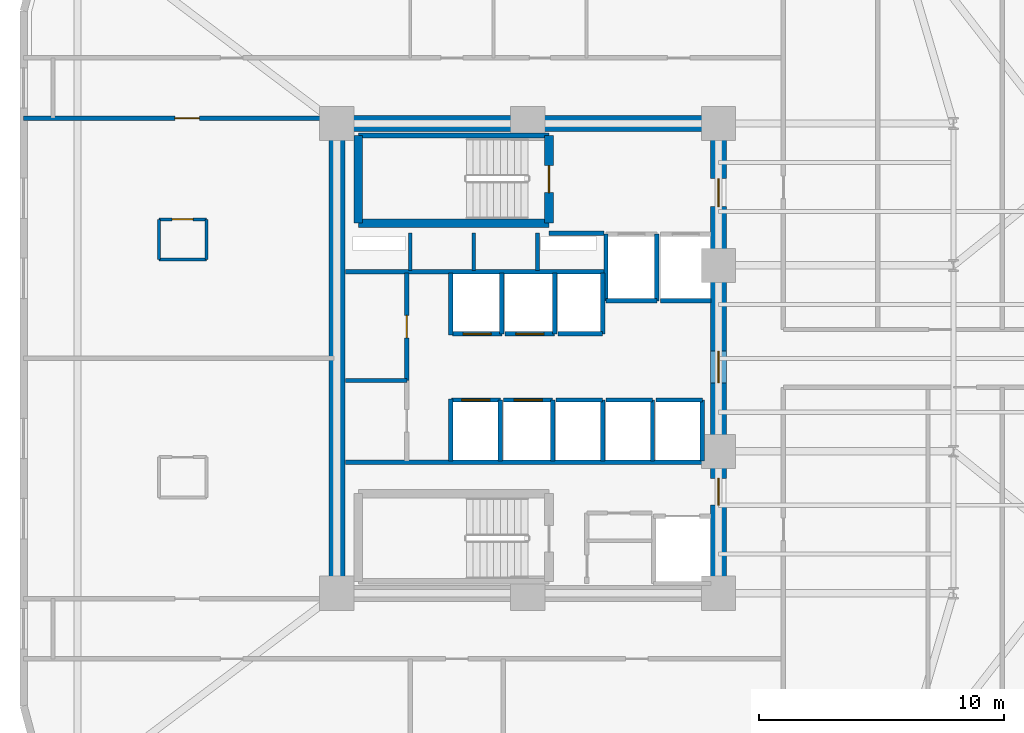
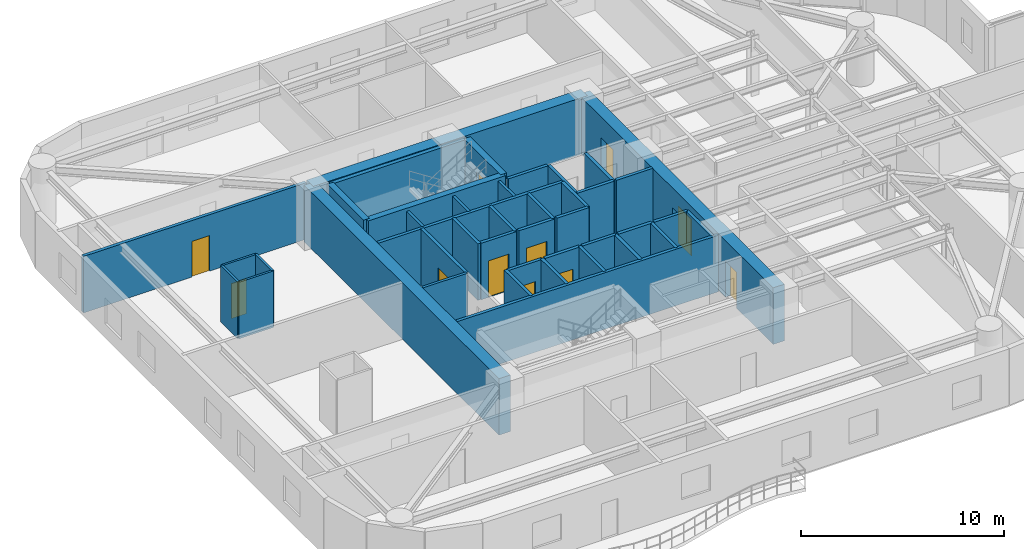
# One storey, part 9 of 14: 42 walls, 11 doors, 11 openings.
"""IFC4 building model written with IfcOpenShell, lengths in metres."""

from ifc_helpers import new_model, si_unit, direction, frame, frame_2d, origin, place, context, subcontext, project, spatial, rectangle, extrude, material, layer, layer_set, type_object, element, fill, save


model = new_model("IFC4")

# Units and contexts
model_context = context("Model", 3, precision=1e-05, world=origin(), true_north=direction((0.0, 1.0)))
body_context = subcontext(model_context, "Body", "Model", "MODEL_VIEW")
ifc_project = project(units=[si_unit("LENGTHUNIT", "METRE"), si_unit("AREAUNIT", "SQUARE_METRE"), si_unit("VOLUMEUNIT", "CUBIC_METRE"), si_unit("PLANEANGLEUNIT", "RADIAN"), si_unit("MASSUNIT", "GRAM", prefix="KILO")], contexts=[model_context])

# Site, building, storey
site_placement = place(None, origin())
site = spatial("IfcSite", under=ifc_project, at=site_placement, CompositionType="ELEMENT")
building_placement = place(site_placement, origin())
building = spatial("IfcBuilding", under=site, at=building_placement, Name="An Khanh Terracotta Commons", CompositionType="ELEMENT")
storey_placement = place(building_placement, frame((0.0, 0.0, 115.10009765625)))
storey = spatial("IfcBuildingStorey", under=building, at=storey_placement, Name="L30", CompositionType="ELEMENT", Elevation=115.10009765625)

# Walls
ifc_material_1 = material(Name="Concrete C60/75", Category="concrete")
ifc_layer_1 = layer(ifc_material_1, 0.64990234375, Name="Concrete C60/75")
ifc_layer_set_1 = layer_set([ifc_layer_1], Name="Concrete C60/75")
wall_type_1 = type_object("IfcWallType", Name="WALL-CORE-650", PredefinedType="SHEAR", material=ifc_layer_set_1)
wall_1_placement = place(storey_placement, frame((21.60009765625, 14.39990234375, 0.0), z_axis=(0.0, 0.0, 1.0), x_axis=(0.0, 1.0, 0.0)))
element("IfcWall", 1, at=wall_1_placement, inside=storey, type_object=wall_type_1, Name="L30 Core Wall CWALL-L30-W", PredefinedType="SHEAR", context=body_context, shape_type="SweptSolid", body=[
    extrude(rectangle(XDim=19.2001953125, YDim=0.64990234375, at=frame_2d((9.60009765625, 0.0))), origin(), (0.0, 0.0, 1.0), 3.39990234375),
])
wall_2_placement = place(storey_placement, frame((21.60009765625, 33.60009765625, 0.0), z_axis=(0.0, 0.0, 1.0), x_axis=(1.0, 0.0, 0.0)))
element("IfcWall", 2, at=wall_2_placement, inside=storey, type_object=wall_type_1, Name="L30 Core Wall CWALL-L30-N", PredefinedType="SHEAR", context=body_context, shape_type="SweptSolid", body=[
    extrude(rectangle(XDim=15.599853515625, YDim=0.64990234375, at=frame_2d((7.7998046875, 0.0))), origin(), (0.0, 0.0, 1.0), 3.39990234375),
])

# Wall, openings, doors
wall_3_placement = place(storey_placement, frame((37.199951171875, 14.39990234375, 0.0), z_axis=(0.0, 0.0, 1.0), x_axis=(0.0, 1.0, 0.0)))
wall_3 = element("IfcWall", 3, at=wall_3_placement, inside=storey, type_object=wall_type_1, Name="L30 Core Wall CWALL-L30-E", PredefinedType="SHEAR", context=body_context, shape_type="SweptSolid", body=[
    extrude(rectangle(XDim=19.2001953125, YDim=0.64990234375, at=frame_2d((9.60009765625, 0.0))), origin(), (0.0, 0.0, 1.0), 3.39990234375),
])
opening_1_placement = place(wall_3_placement, frame((15.800048828125, 0.0, 0.0)))
opening_1 = element("IfcOpeningElement", 4, at=opening_1_placement, cuts=wall_3, Name="Opening D-FFL", PredefinedType="OPENING", context=body_context, shape_type="SweptSolid", body=[
    extrude(rectangle(XDim=1.14990234375, YDim=2.14990234375, at=frame_2d((0.574951171875, 1.074951171875))), frame((0.0, 0.3349609375, 0.0), z_axis=(0.0, -1.0, 0.0), x_axis=(1.0, 0.0, 0.0)), (0.0, 0.0, 1.0), 0.669921875),
])
opening_2_placement = place(wall_3_placement, frame((3.60009765625, 0.0, 0.0)))
opening_2 = element("IfcOpeningElement", 5, at=opening_2_placement, cuts=wall_3, Name="Opening D-ST", PredefinedType="OPENING", context=body_context, shape_type="SweptSolid", body=[
    extrude(rectangle(XDim=1.10009765625, YDim=2.14990234375, at=frame_2d((0.550048828125, 1.074951171875))), frame((0.0, 0.3349609375, 0.0), z_axis=(0.0, -1.0, 0.0), x_axis=(1.0, 0.0, 0.0)), (0.0, 0.0, 1.0), 0.669921875),
])
opening_3_placement = place(wall_3_placement, frame((8.60009765625, 0.0, 0.0)))
opening_3 = element("IfcOpeningElement", 6, at=opening_3_placement, cuts=wall_3, Name="Opening D-COR", PredefinedType="OPENING", context=body_context, shape_type="SweptSolid", body=[
    extrude(rectangle(XDim=1.300048828125, YDim=2.199951171875, at=frame_2d((0.64990234375, 1.10009765625))), frame((0.0, 0.3349609375, 0.0), z_axis=(0.0, -1.0, 0.0), x_axis=(1.0, 0.0, 0.0)), (0.0, 0.0, 1.0), 0.669921875),
])
ifc_material_2 = material(Name="Fire-Rated Glazed Steel Double Door", Category="steel")
door_type_1 = type_object("IfcDoorType", Name="DOOR-CORR-1300", OperationType="NOTDEFINED", PredefinedType="DOOR", material=ifc_material_2)
door_1_placement = place(opening_3_placement, origin())
door_1 = element("IfcDoor", 7, at=door_1_placement, inside=storey, type_object=door_type_1, Name="L30 Passenger Lift Lobby Double Door", OperationType="DOUBLE_DOOR_SINGLE_SWING", OverallHeight=2.199951171875, OverallWidth=1.300048828125, PredefinedType="DOOR", context=body_context, shape_type="SweptSolid", body=[
    extrude(rectangle(XDim=1.300048828125, YDim=2.199951171875, at=frame_2d((0.64990234375, 1.10009765625))), frame((0.0, 0.02490234375, 0.0), z_axis=(0.0, -1.0, 0.0), x_axis=(1.0, 0.0, 0.0)), (0.0, 0.0, 1.0), 0.050048828125),
])
fill(opening_3, door_1)
ifc_material_3 = material(Name="Fire-Rated Steel Leaf and Vision Panel", Category="steel")
door_type_2 = type_object("IfcDoorType", Name="DOOR-FFL-1150", OperationType="NOTDEFINED", PredefinedType="DOOR", material=ifc_material_3)
door_2_placement = place(opening_1_placement, origin())
door_2 = element("IfcDoor", 8, at=door_2_placement, inside=storey, type_object=door_type_2, Name="L30 Firefighting Lift Lobby Fire Door", OperationType="SINGLE_SWING_RIGHT", OverallHeight=2.14990234375, OverallWidth=1.14990234375, PredefinedType="DOOR", context=body_context, shape_type="SweptSolid", body=[
    extrude(rectangle(XDim=1.14990234375, YDim=2.14990234375, at=frame_2d((0.574951171875, 1.074951171875))), frame((0.0, 0.02490234375, 0.0), z_axis=(0.0, -1.0, 0.0), x_axis=(1.0, 0.0, 0.0)), (0.0, 0.0, 1.0), 0.050048828125),
])
fill(opening_1, door_2)
ifc_material_4 = material(Name="Fire-Rated Steel Leaf and Frame", Category="steel")
door_type_3 = type_object("IfcDoorType", Name="DOOR-STAIR-1100", OperationType="NOTDEFINED", PredefinedType="DOOR", material=ifc_material_4)
door_3_placement = place(opening_2_placement, origin())
door_3 = element("IfcDoor", 9, at=door_3_placement, inside=storey, type_object=door_type_3, Name="L30 South Stair Lobby Fire Door", OperationType="SINGLE_SWING_LEFT", OverallHeight=2.14990234375, OverallWidth=1.10009765625, PredefinedType="DOOR", context=body_context, shape_type="SweptSolid", body=[
    extrude(rectangle(XDim=1.10009765625, YDim=2.14990234375, at=frame_2d((0.550048828125, 1.074951171875))), frame((0.0, 0.02490234375, 0.0), z_axis=(0.0, -1.0, 0.0), x_axis=(1.0, 0.0, 0.0)), (0.0, 0.0, 1.0), 0.050048828125),
])
fill(opening_2, door_3)

# Walls
ifc_material_5 = material(Name="Fire-Rated Gypsum Board on Steel Stud", Category="steel")
ifc_layer_2 = layer(ifc_material_5, 0.179931640625, Name="Fire-Rated Gypsum Board on Steel Stud")
ifc_layer_set_2 = layer_set([ifc_layer_2], Name="Fire-Rated Gypsum Board on Steel Stud")
wall_type_2 = type_object("IfcWallType", Name="WALL-CORR-180", PredefinedType="PARTITIONING", material=ifc_layer_set_2)
wall_4_placement = place(storey_placement, frame((30.27001953125, 29.1201171875, 0.0), z_axis=(0.0, 0.0, 1.0), x_axis=(1.0, 0.0, 0.0)))
element("IfcWall", 10, at=wall_4_placement, inside=storey, type_object=wall_type_2, Name="L30 Core Wall FFLW-L30-S", PredefinedType="PARTITIONING", context=body_context, shape_type="SweptSolid", body=[
    extrude(rectangle(XDim=2.239990234375, YDim=0.179931640625, at=frame_2d((1.1201171875, 0.0))), origin(), (0.0, 0.0, 1.0), 3.39990234375),
])
wall_5_placement = place(storey_placement, frame((21.949951171875, 27.5400390625, 0.0), z_axis=(0.0, 0.0, 1.0), x_axis=(1.0, 0.0, 0.0)))
element("IfcWall", 11, at=wall_5_placement, inside=storey, type_object=wall_type_2, Name="L30 Core Wall RSRW-L30-S", PredefinedType="PARTITIONING", context=body_context, shape_type="SweptSolid", body=[
    extrude(rectangle(XDim=10.56005859375, YDim=0.179931640625, at=frame_2d((5.280029296875, 0.0))), origin(), (0.0, 0.0, 1.0), 3.39990234375),
])
wall_6_placement = place(storey_placement, frame((21.949951171875, 19.760009765625, 0.0), z_axis=(0.0, 0.0, 1.0), x_axis=(1.0, 0.0, 0.0)))
element("IfcWall", 12, at=wall_6_placement, inside=storey, type_object=wall_type_2, Name="L30 Core Wall SVW-L30-N", PredefinedType="PARTITIONING", context=body_context, shape_type="SweptSolid", body=[
    extrude(rectangle(XDim=14.8701171875, YDim=0.179931640625, at=frame_2d((7.43505859375, 0.0))), origin(), (0.0, 0.0, 1.0), 3.39990234375),
])
wall_7_placement = place(storey_placement, frame((34.679931640625, 26.35009765625, 0.0), z_axis=(0.0, 0.0, 1.0), x_axis=(-1.0, 0.0, 0.0)))
element("IfcWall", 13, at=wall_7_placement, inside=storey, type_object=wall_type_2, Name="L30 Core Wall LSH-L30-FFL-01-S", PredefinedType="PARTITIONING", context=body_context, shape_type="SweptSolid", body=[
    extrude(rectangle(XDim=2.079833984375, YDim=0.179931640625, at=frame_2d((1.0400390625, 0.0))), origin(), (0.0, 0.0, 1.0), 3.39990234375),
])
for number, where, z_axis, x_axis, name in (
    (14, (34.679931640625, 26.35009765625, 0.0), (0.0, 0.0, 1.0), (0.0, 1.0, 0.0), "L30 Core Wall LSH-L30-FFL-01-E"),
    (15, (32.60009765625, 29.080078125, 0.0), (0.0, 0.0, 1.0), (0.0, -1.0, 0.0), "L30 Core Wall LSH-L30-FFL-01-W"),
):
    element("IfcWall", number, at=place(storey_placement, frame(where, z_axis=z_axis, x_axis=x_axis)), inside=storey, type_object=wall_type_2, Name=name, PredefinedType="PARTITIONING", context=body_context, shape_type="SweptSolid", body=[
        extrude(rectangle(XDim=2.72998046875, YDim=0.179931640625, at=frame_2d((1.364990234375, 0.0))), origin(), (0.0, 0.0, 1.0), 3.39990234375),
    ])
wall_8_placement = place(storey_placement, frame((36.89990234375, 26.35009765625, 0.0), z_axis=(0.0, 0.0, 1.0), x_axis=(-1.0, 0.0, 0.0)))
element("IfcWall", 16, at=wall_8_placement, inside=storey, type_object=wall_type_2, Name="L30 Core Wall LSH-L30-FFL-02-S", PredefinedType="PARTITIONING", context=body_context, shape_type="SweptSolid", body=[
    extrude(rectangle(XDim=2.079833984375, YDim=0.179931640625, at=frame_2d((1.0400390625, 0.0))), origin(), (0.0, 0.0, 1.0), 3.39990234375),
])

# Wall, opening, door
wall_9_placement = place(storey_placement, frame((28.340087890625, 25.0, 0.0), z_axis=(0.0, 0.0, 1.0), x_axis=(-1.0, 0.0, 0.0)))
wall_9 = element("IfcWall", 17, at=wall_9_placement, inside=storey, type_object=wall_type_2, Name="L30 Core Wall LSH-L30-PL-M1-S", PredefinedType="PARTITIONING", context=body_context, shape_type="SweptSolid", body=[
    extrude(rectangle(XDim=2.02001953125, YDim=0.179931640625, at=frame_2d((1.010009765625, 0.0))), origin(), (0.0, 0.0, 1.0), 3.39990234375),
])
opening_4_placement = place(wall_9_placement, frame((0.43505859375, 0.0, 0.0)))
opening_4 = element("IfcOpeningElement", 18, at=opening_4_placement, cuts=wall_9, Name="Opening LD-PL-M1-L30", PredefinedType="OPENING", context=body_context, shape_type="SweptSolid", body=[
    extrude(rectangle(XDim=1.14990234375, YDim=2.199951171875, at=frame_2d((0.574951171875, 1.10009765625))), frame((0.0, 0.099853515625, 0.0), z_axis=(0.0, -1.0, 0.0), x_axis=(1.0, 0.0, 0.0)), (0.0, 0.0, 1.0), 0.199951171875),
])
ifc_material_6 = material(Name="Brushed Stainless Steel Passenger Landing Door", Category="steel")
door_type_4 = type_object("IfcDoorType", Name="DOOR-LD-PAX-1150", OperationType="NOTDEFINED", PredefinedType="DOOR", material=ifc_material_6)
door_4_placement = place(opening_4_placement, origin())
door_4 = element("IfcDoor", 19, at=door_4_placement, inside=storey, type_object=door_type_4, Name="L30 Lift PL-M1 Sliding Landing Door", OperationType="DOUBLE_DOOR_SLIDING", OverallHeight=2.199951171875, OverallWidth=1.14990234375, PredefinedType="DOOR", context=body_context, shape_type="SweptSolid", body=[
    extrude(rectangle(XDim=1.14990234375, YDim=2.199951171875, at=frame_2d((0.574951171875, 1.10009765625))), frame((0.0, 0.02490234375, 0.0), z_axis=(0.0, -1.0, 0.0), x_axis=(1.0, 0.0, 0.0)), (0.0, 0.0, 1.0), 0.050048828125),
])
fill(opening_4, door_4)

# Wall
wall_10_placement = place(storey_placement, frame((28.340087890625, 25.0, 0.0), z_axis=(0.0, 0.0, 1.0), x_axis=(0.0, 1.0, 0.0)))
element("IfcWall", 20, at=wall_10_placement, inside=storey, type_object=wall_type_2, Name="L30 Core Wall LSH-L30-PL-M1-E", PredefinedType="PARTITIONING", context=body_context, shape_type="SweptSolid", body=[
    extrude(rectangle(XDim=2.5, YDim=0.179931640625, at=frame_2d((1.25, 0.0))), origin(), (0.0, 0.0, 1.0), 3.39990234375),
])

# Wall, opening, door
wall_11_placement = place(storey_placement, frame((30.5, 25.0, 0.0), z_axis=(0.0, 0.0, 1.0), x_axis=(-1.0, 0.0, 0.0)))
wall_11 = element("IfcWall", 21, at=wall_11_placement, inside=storey, type_object=wall_type_2, Name="L30 Core Wall LSH-L30-PL-M2-S", PredefinedType="PARTITIONING", context=body_context, shape_type="SweptSolid", body=[
    extrude(rectangle(XDim=2.02001953125, YDim=0.179931640625, at=frame_2d((1.010009765625, 0.0))), origin(), (0.0, 0.0, 1.0), 3.39990234375),
])
opening_5_placement = place(wall_11_placement, frame((0.43505859375, 0.0, 0.0)))
opening_5 = element("IfcOpeningElement", 22, at=opening_5_placement, cuts=wall_11, Name="Opening LD-PL-M2-L30", PredefinedType="OPENING", context=body_context, shape_type="SweptSolid", body=[
    extrude(rectangle(XDim=1.14990234375, YDim=2.199951171875, at=frame_2d((0.574951171875, 1.10009765625))), frame((0.0, 0.099853515625, 0.0), z_axis=(0.0, -1.0, 0.0), x_axis=(1.0, 0.0, 0.0)), (0.0, 0.0, 1.0), 0.199951171875),
])
door_5_placement = place(opening_5_placement, origin())
door_5 = element("IfcDoor", 23, at=door_5_placement, inside=storey, type_object=door_type_4, Name="L30 Lift PL-M2 Sliding Landing Door", OperationType="DOUBLE_DOOR_SLIDING", OverallHeight=2.199951171875, OverallWidth=1.14990234375, PredefinedType="DOOR", context=body_context, shape_type="SweptSolid", body=[
    extrude(rectangle(XDim=1.14990234375, YDim=2.199951171875, at=frame_2d((0.574951171875, 1.10009765625))), frame((0.0, 0.02490234375, 0.0), z_axis=(0.0, -1.0, 0.0), x_axis=(1.0, 0.0, 0.0)), (0.0, 0.0, 1.0), 0.050048828125),
])
fill(opening_5, door_5)

# Wall
wall_12_placement = place(storey_placement, frame((30.5, 25.0, 0.0), z_axis=(0.0, 0.0, 1.0), x_axis=(0.0, 1.0, 0.0)))
element("IfcWall", 24, at=wall_12_placement, inside=storey, type_object=wall_type_2, Name="L30 Core Wall LSH-L30-PL-M2-E", PredefinedType="PARTITIONING", context=body_context, shape_type="SweptSolid", body=[
    extrude(rectangle(XDim=2.5, YDim=0.179931640625, at=frame_2d((1.25, 0.0))), origin(), (0.0, 0.0, 1.0), 3.39990234375),
])

# Wall, opening, door
wall_13_placement = place(storey_placement, frame((26.280029296875, 22.300048828125, 0.0), z_axis=(0.0, 0.0, 1.0), x_axis=(1.0, 0.0, 0.0)))
wall_13 = element("IfcWall", 25, at=wall_13_placement, inside=storey, type_object=wall_type_2, Name="L30 Core Wall LSH-L30-PL-M3-N", PredefinedType="PARTITIONING", context=body_context, shape_type="SweptSolid", body=[
    extrude(rectangle(XDim=2.0, YDim=0.179931640625, at=frame_2d((1.0, 0.0))), origin(), (0.0, 0.0, 1.0), 3.39990234375),
])
opening_6_placement = place(wall_13_placement, frame((0.425048828125, 0.0, 0.0)))
opening_6 = element("IfcOpeningElement", 26, at=opening_6_placement, cuts=wall_13, Name="Opening LD-PL-M3-L30", PredefinedType="OPENING", context=body_context, shape_type="SweptSolid", body=[
    extrude(rectangle(XDim=1.14990234375, YDim=2.199951171875, at=frame_2d((0.574951171875, 1.10009765625))), frame((0.0, 0.099853515625, 0.0), z_axis=(0.0, -1.0, 0.0), x_axis=(1.0, 0.0, 0.0)), (0.0, 0.0, 1.0), 0.199951171875),
])
door_6_placement = place(opening_6_placement, origin())
door_6 = element("IfcDoor", 27, at=door_6_placement, inside=storey, type_object=door_type_4, Name="L30 Lift PL-M3 Sliding Landing Door", OperationType="DOUBLE_DOOR_SLIDING", OverallHeight=2.199951171875, OverallWidth=1.14990234375, PredefinedType="DOOR", context=body_context, shape_type="SweptSolid", body=[
    extrude(rectangle(XDim=1.14990234375, YDim=2.199951171875, at=frame_2d((0.574951171875, 1.10009765625))), frame((0.0, 0.02490234375, 0.0), z_axis=(0.0, -1.0, 0.0), x_axis=(1.0, 0.0, 0.0)), (0.0, 0.0, 1.0), 0.050048828125),
])
fill(opening_6, door_6)

# Wall
wall_14_placement = place(storey_placement, frame((28.280029296875, 19.800048828125, 0.0), z_axis=(0.0, 0.0, 1.0), x_axis=(0.0, 1.0, 0.0)))
element("IfcWall", 28, at=wall_14_placement, inside=storey, type_object=wall_type_2, Name="L30 Core Wall LSH-L30-PL-M3-E", PredefinedType="PARTITIONING", context=body_context, shape_type="SweptSolid", body=[
    extrude(rectangle(XDim=2.5, YDim=0.179931640625, at=frame_2d((1.25, 0.0))), origin(), (0.0, 0.0, 1.0), 3.39990234375),
])

# Wall, opening, door
wall_15_placement = place(storey_placement, frame((28.419921875, 22.300048828125, 0.0), z_axis=(0.0, 0.0, 1.0), x_axis=(1.0, 0.0, 0.0)))
wall_15 = element("IfcWall", 29, at=wall_15_placement, inside=storey, type_object=wall_type_2, Name="L30 Core Wall LSH-L30-PL-M4-N", PredefinedType="PARTITIONING", context=body_context, shape_type="SweptSolid", body=[
    extrude(rectangle(XDim=2.0, YDim=0.179931640625, at=frame_2d((1.0, 0.0))), origin(), (0.0, 0.0, 1.0), 3.39990234375),
])
opening_7_placement = place(wall_15_placement, frame((0.425048828125, 0.0, 0.0)))
opening_7 = element("IfcOpeningElement", 30, at=opening_7_placement, cuts=wall_15, Name="Opening LD-PL-M4-L30", PredefinedType="OPENING", context=body_context, shape_type="SweptSolid", body=[
    extrude(rectangle(XDim=1.14990234375, YDim=2.199951171875, at=frame_2d((0.574951171875, 1.10009765625))), frame((0.0, 0.099853515625, 0.0), z_axis=(0.0, -1.0, 0.0), x_axis=(1.0, 0.0, 0.0)), (0.0, 0.0, 1.0), 0.199951171875),
])
door_7_placement = place(opening_7_placement, origin())
door_7 = element("IfcDoor", 31, at=door_7_placement, inside=storey, type_object=door_type_4, Name="L30 Lift PL-M4 Sliding Landing Door", OperationType="DOUBLE_DOOR_SLIDING", OverallHeight=2.199951171875, OverallWidth=1.14990234375, PredefinedType="DOOR", context=body_context, shape_type="SweptSolid", body=[
    extrude(rectangle(XDim=1.14990234375, YDim=2.199951171875, at=frame_2d((0.574951171875, 1.10009765625))), frame((0.0, 0.02490234375, 0.0), z_axis=(0.0, -1.0, 0.0), x_axis=(1.0, 0.0, 0.0)), (0.0, 0.0, 1.0), 0.050048828125),
])
fill(opening_7, door_7)

# Walls
wall_16_placement = place(storey_placement, frame((30.419921875, 19.800048828125, 0.0), z_axis=(0.0, 0.0, 1.0), x_axis=(0.0, 1.0, 0.0)))
element("IfcWall", 32, at=wall_16_placement, inside=storey, type_object=wall_type_2, Name="L30 Core Wall LSH-L30-PL-M4-E", PredefinedType="PARTITIONING", context=body_context, shape_type="SweptSolid", body=[
    extrude(rectangle(XDim=2.5, YDim=0.179931640625, at=frame_2d((1.25, 0.0))), origin(), (0.0, 0.0, 1.0), 3.39990234375),
])
wall_17_placement = place(storey_placement, frame((32.4599609375, 25.0, 0.0), z_axis=(0.0, 0.0, 1.0), x_axis=(-1.0, 0.0, 0.0)))
element("IfcWall", 33, at=wall_17_placement, inside=storey, type_object=wall_type_2, Name="L30 Core Wall LSH-L30-PL-H1-S", PredefinedType="PARTITIONING", context=body_context, shape_type="SweptSolid", body=[
    extrude(rectangle(XDim=1.820068359375, YDim=0.179931640625, at=frame_2d((0.91015625, 0.0))), origin(), (0.0, 0.0, 1.0), 3.39990234375),
])
wall_18_placement = place(storey_placement, frame((32.4599609375, 25.0, 0.0), z_axis=(0.0, 0.0, 1.0), x_axis=(0.0, 1.0, 0.0)))
element("IfcWall", 34, at=wall_18_placement, inside=storey, type_object=wall_type_2, Name="L30 Core Wall LSH-L30-PL-H1-E", PredefinedType="PARTITIONING", context=body_context, shape_type="SweptSolid", body=[
    extrude(rectangle(XDim=2.5, YDim=0.179931640625, at=frame_2d((1.25, 0.0))), origin(), (0.0, 0.0, 1.0), 3.39990234375),
])
wall_19_placement = place(storey_placement, frame((30.56005859375, 22.300048828125, 0.0), z_axis=(0.0, 0.0, 1.0), x_axis=(1.0, 0.0, 0.0)))
element("IfcWall", 35, at=wall_19_placement, inside=storey, type_object=wall_type_2, Name="L30 Core Wall LSH-L30-PL-H2-N", PredefinedType="PARTITIONING", context=body_context, shape_type="SweptSolid", body=[
    extrude(rectangle(XDim=1.89990234375, YDim=0.179931640625, at=frame_2d((0.949951171875, 0.0))), origin(), (0.0, 0.0, 1.0), 3.39990234375),
])
wall_20_placement = place(storey_placement, frame((32.4599609375, 19.800048828125, 0.0), z_axis=(0.0, 0.0, 1.0), x_axis=(0.0, 1.0, 0.0)))
element("IfcWall", 36, at=wall_20_placement, inside=storey, type_object=wall_type_2, Name="L30 Core Wall LSH-L30-PL-H2-E", PredefinedType="PARTITIONING", context=body_context, shape_type="SweptSolid", body=[
    extrude(rectangle(XDim=2.5, YDim=0.179931640625, at=frame_2d((1.25, 0.0))), origin(), (0.0, 0.0, 1.0), 3.39990234375),
])
wall_21_placement = place(storey_placement, frame((32.60009765625, 22.300048828125, 0.0), z_axis=(0.0, 0.0, 1.0), x_axis=(1.0, 0.0, 0.0)))
element("IfcWall", 37, at=wall_21_placement, inside=storey, type_object=wall_type_2, Name="L30 Core Wall LSH-L30-PL-H3-N", PredefinedType="PARTITIONING", context=body_context, shape_type="SweptSolid", body=[
    extrude(rectangle(XDim=1.89990234375, YDim=0.179931640625, at=frame_2d((0.949951171875, 0.0))), origin(), (0.0, 0.0, 1.0), 3.39990234375),
])
wall_22_placement = place(storey_placement, frame((34.5, 19.800048828125, 0.0), z_axis=(0.0, 0.0, 1.0), x_axis=(0.0, 1.0, 0.0)))
element("IfcWall", 38, at=wall_22_placement, inside=storey, type_object=wall_type_2, Name="L30 Core Wall LSH-L30-PL-H3-E", PredefinedType="PARTITIONING", context=body_context, shape_type="SweptSolid", body=[
    extrude(rectangle(XDim=2.5, YDim=0.179931640625, at=frame_2d((1.25, 0.0))), origin(), (0.0, 0.0, 1.0), 3.39990234375),
])
wall_23_placement = place(storey_placement, frame((34.639892578125, 22.300048828125, 0.0), z_axis=(0.0, 0.0, 1.0), x_axis=(1.0, 0.0, 0.0)))
element("IfcWall", 39, at=wall_23_placement, inside=storey, type_object=wall_type_2, Name="L30 Core Wall LSH-L30-PL-H4-N", PredefinedType="PARTITIONING", context=body_context, shape_type="SweptSolid", body=[
    extrude(rectangle(XDim=1.900146484375, YDim=0.179931640625, at=frame_2d((0.9501953125, 0.0))), origin(), (0.0, 0.0, 1.0), 3.39990234375),
])
wall_24_placement = place(storey_placement, frame((36.5400390625, 19.800048828125, 0.0), z_axis=(0.0, 0.0, 1.0), x_axis=(0.0, 1.0, 0.0)))
element("IfcWall", 40, at=wall_24_placement, inside=storey, type_object=wall_type_2, Name="L30 Core Wall LSH-L30-PL-H4-E", PredefinedType="PARTITIONING", context=body_context, shape_type="SweptSolid", body=[
    extrude(rectangle(XDim=2.5, YDim=0.179931640625, at=frame_2d((1.25, 0.0))), origin(), (0.0, 0.0, 1.0), 3.39990234375),
])

# Wall, opening, door
wall_25_placement = place(storey_placement, frame((24.4599609375, 23.10009765625, 0.0), z_axis=(0.0, 0.0, 1.0), x_axis=(0.0, 1.0, 0.0)))
wall_25 = element("IfcWall", 41, at=wall_25_placement, inside=storey, type_object=wall_type_2, Name="L30 Core Wall RECW-L30-E1", PredefinedType="PARTITIONING", context=body_context, shape_type="SweptSolid", body=[
    extrude(rectangle(XDim=4.39990234375, YDim=0.179931640625, at=frame_2d((2.199951171875, 0.0))), origin(), (0.0, 0.0, 1.0), 3.39990234375),
])
opening_8_placement = place(wall_25_placement, frame((1.739990234375, 0.0, 0.0)))
opening_8 = element("IfcOpeningElement", 42, at=opening_8_placement, cuts=wall_25, Name="Opening D-RM", PredefinedType="OPENING", context=body_context, shape_type="SweptSolid", body=[
    extrude(rectangle(XDim=0.919921875, YDim=2.10009765625, at=frame_2d((0.4599609375, 1.050048828125))), frame((0.0, 0.099853515625, 0.0), z_axis=(0.0, -1.0, 0.0), x_axis=(1.0, 0.0, 0.0)), (0.0, 0.0, 1.0), 0.199951171875),
])
ifc_material_7 = material(Name="Engineered Hardwood Timber Leaf", Category="wood")
door_type_5 = type_object("IfcDoorType", Name="DOOR-INT-920", OperationType="NOTDEFINED", PredefinedType="DOOR", material=ifc_material_7)
door_8_placement = place(opening_8_placement, origin())
door_8 = element("IfcDoor", 43, at=door_8_placement, inside=storey, type_object=door_type_5, Name="L30 Housekeeping Linen Room Door", OperationType="SINGLE_SWING_RIGHT", OverallHeight=2.10009765625, OverallWidth=0.919921875, PredefinedType="DOOR", context=body_context, shape_type="SweptSolid", body=[
    extrude(rectangle(XDim=0.919921875, YDim=2.10009765625, at=frame_2d((0.4599609375, 1.050048828125))), frame((0.0, 0.02490234375, 0.0), z_axis=(0.0, -1.0, 0.0), x_axis=(1.0, 0.0, 0.0)), (0.0, 0.0, 1.0), 0.050048828125),
])
fill(opening_8, door_8)

# Walls
for number, where, z_axis, x_axis, name in (
    (44, (26.25, 24.949951171875, 0.0), (0.0, 0.0, 1.0), (0.0, 1.0, 0.0), "L30 Core Wall RECW-L30-BE1"),
    (45, (26.25, 19.800048828125, 0.0), (0.0, 0.0, 1.0), (0.0, 1.0, 0.0), "L30 Core Wall RECW-L30-BE2"),
):
    element("IfcWall", number, at=place(storey_placement, frame(where, z_axis=z_axis, x_axis=x_axis)), inside=storey, type_object=wall_type_2, Name=name, PredefinedType="PARTITIONING", context=body_context, shape_type="SweptSolid", body=[
        extrude(rectangle(XDim=2.550048828125, YDim=0.179931640625, at=frame_2d((1.27490234375, 0.0))), origin(), (0.0, 0.0, 1.0), 3.39990234375),
    ])

# Wall, opening, door
wall_26_placement = place(storey_placement, frame((8.800048828125, 33.820068359375, 0.0), z_axis=(0.0, 0.0, 1.0), x_axis=(1.0, 0.0, 0.0)))
wall_26 = element("IfcWall", 46, at=wall_26_placement, inside=storey, type_object=wall_type_2, Name="L30 Interior Partition IW-L30-E007", PredefinedType="PARTITIONING", context=body_context, shape_type="SweptSolid", body=[
    extrude(rectangle(XDim=12.679931640625, YDim=0.179931640625, at=frame_2d((6.33984375, 0.0))), origin(), (0.0, 0.0, 1.0), 3.39990234375),
])
opening_9_placement = place(wall_26_placement, frame((6.179931640625, 0.0, 0.0)))
opening_9 = element("IfcOpeningElement", 47, at=opening_9_placement, cuts=wall_26, Name="Opening D-UN", PredefinedType="OPENING", context=body_context, shape_type="SweptSolid", body=[
    extrude(rectangle(XDim=1.0, YDim=2.14990234375, at=frame_2d((0.5, 1.074951171875))), frame((0.0, 0.099853515625, 0.0), z_axis=(0.0, -1.0, 0.0), x_axis=(1.0, 0.0, 0.0)), (0.0, 0.0, 1.0), 0.199951171875),
])
ifc_material_8 = material(Name="Solid-Core Hardwood Acoustic Fire Door", Category="wood")
door_type_6 = type_object("IfcDoorType", Name="DOOR-UNIT-1000", OperationType="NOTDEFINED", PredefinedType="DOOR", material=ifc_material_8)
door_9_placement = place(opening_9_placement, origin())
door_9 = element("IfcDoor", 48, at=door_9_placement, inside=storey, type_object=door_type_6, Name="L30 WW2 Kitchenette and Studio Apartment Door", OperationType="SINGLE_SWING_LEFT", OverallHeight=2.14990234375, OverallWidth=1.0, PredefinedType="DOOR", context=body_context, shape_type="SweptSolid", body=[
    extrude(rectangle(XDim=1.0, YDim=2.14990234375, at=frame_2d((0.5, 1.074951171875))), frame((0.0, 0.02490234375, 0.0), z_axis=(0.0, -1.0, 0.0), x_axis=(1.0, 0.0, 0.0)), (0.0, 0.0, 1.0), 0.050048828125),
])
fill(opening_9, door_9)

# Walls
ifc_material_9 = material(Name="Acoustic Gypsum Board Partition")
ifc_layer_3 = layer(ifc_material_9, 0.14990234375, Name="Acoustic Gypsum Board Partition")
ifc_layer_set_3 = layer_set([ifc_layer_3], Name="Acoustic Gypsum Board Partition")
wall_type_3 = type_object("IfcWallType", Name="WALL-PART-150", PredefinedType="PARTITIONING", material=ifc_layer_set_3)
for number, where, z_axis, x_axis, name in (
    (49, (24.60009765625, 27.60009765625, 0.0), (0.0, 0.0, 1.0), (0.0, 1.0, 0.0), "L30 Core Wall RSRW-L30-D1"),
    (50, (27.199951171875, 27.60009765625, 0.0), (0.0, 0.0, 1.0), (0.0, 1.0, 0.0), "L30 Core Wall RSRW-L30-D2"),
    (51, (29.800048828125, 27.60009765625, 0.0), (0.0, 0.0, 1.0), (0.0, 1.0, 0.0), "L30 Core Wall RSRW-L30-D3"),
):
    element("IfcWall", number, at=place(storey_placement, frame(where, z_axis=z_axis, x_axis=x_axis)), inside=storey, type_object=wall_type_3, Name=name, PredefinedType="PARTITIONING", context=body_context, shape_type="SweptSolid", body=[
        extrude(rectangle(XDim=1.52001953125, YDim=0.14990234375, at=frame_2d((0.760009765625, 0.0))), origin(), (0.0, 0.0, 1.0), 3.39990234375),
    ])
wall_27_placement = place(storey_placement, frame((21.949951171875, 23.10009765625, 0.0), z_axis=(0.0, 0.0, 1.0), x_axis=(1.0, 0.0, 0.0)))
element("IfcWall", 52, at=wall_27_placement, inside=storey, type_object=wall_type_3, Name="L30 Core Wall RECW-L30-M", PredefinedType="PARTITIONING", context=body_context, shape_type="SweptSolid", body=[
    extrude(rectangle(XDim=2.510009765625, YDim=0.14990234375, at=frame_2d((1.2548828125, 0.0))), origin(), (0.0, 0.0, 1.0), 3.39990234375),
])
ifc_material_10 = material(Name="Acoustic Double-Stud Gypsum and Mineral Wool")
ifc_layer_4 = layer(ifc_material_10, 0.219970703125, Name="Acoustic Double-Stud Gypsum and Mineral Wool")
ifc_layer_set_4 = layer_set([ifc_layer_4], Name="Acoustic Double-Stud Gypsum and Mineral Wool")
wall_type_4 = type_object("IfcWallType", Name="WALL-PARTY-220", PredefinedType="PARTITIONING", material=ifc_layer_set_4)
wall_28_placement = place(storey_placement, frame((22.47998046875, 33.110107421875, 0.0), z_axis=(0.0, 0.0, 1.0), x_axis=(1.0, 0.0, 0.0)))
element("IfcWall", 53, at=wall_28_placement, inside=storey, type_object=wall_type_4, Name="L30 Core Wall STW-L30-N-N", PredefinedType="PARTITIONING", context=body_context, shape_type="SweptSolid", body=[
    extrude(rectangle(XDim=7.7900390625, YDim=0.219970703125, at=frame_2d((3.89501953125, 0.0))), origin(), (0.0, 0.0, 1.0), 3.39990234375),
])
ifc_material_11 = material(Name="Concrete C50/60", Category="concrete")
ifc_layer_5 = layer(ifc_material_11, 0.35009765625, Name="Concrete C50/60")
ifc_layer_set_5 = layer_set([ifc_layer_5], Name="Concrete C50/60")
wall_type_5 = type_object("IfcWallType", Name="WALL-SHAFT-350", PredefinedType="SOLIDWALL", material=ifc_layer_set_5)
wall_29_placement = place(storey_placement, frame((22.47998046875, 29.530029296875, 0.0), z_axis=(0.0, 0.0, 1.0), x_axis=(1.0, 0.0, 0.0)))
element("IfcWall", 54, at=wall_29_placement, inside=storey, type_object=wall_type_5, Name="L30 Core Wall STW-L30-N-S", PredefinedType="SOLIDWALL", context=body_context, shape_type="SweptSolid", body=[
    extrude(rectangle(XDim=7.7900390625, YDim=0.35009765625, at=frame_2d((3.89501953125, 0.0))), origin(), (0.0, 0.0, 1.0), 3.39990234375),
])
wall_30_placement = place(storey_placement, frame((22.47998046875, 29.530029296875, 0.0), z_axis=(0.0, 0.0, 1.0), x_axis=(0.0, 1.0, 0.0)))
element("IfcWall", 55, at=wall_30_placement, inside=storey, type_object=wall_type_5, Name="L30 Core Wall STW-L30-N-W", PredefinedType="SOLIDWALL", context=body_context, shape_type="SweptSolid", body=[
    extrude(rectangle(XDim=3.580078125, YDim=0.35009765625, at=frame_2d((1.7900390625, 0.0))), origin(), (0.0, 0.0, 1.0), 3.39990234375),
])

# Wall, opening, door
wall_31_placement = place(storey_placement, frame((30.27001953125, 29.530029296875, 0.0), z_axis=(0.0, 0.0, 1.0), x_axis=(0.0, 1.0, 0.0)))
wall_31 = element("IfcWall", 56, at=wall_31_placement, inside=storey, type_object=wall_type_5, Name="L30 Core Wall STW-L30-N-E", PredefinedType="SOLIDWALL", context=body_context, shape_type="SweptSolid", body=[
    extrude(rectangle(XDim=3.580078125, YDim=0.35009765625, at=frame_2d((1.7900390625, 0.0))), origin(), (0.0, 0.0, 1.0), 3.39990234375),
])
opening_10_placement = place(wall_31_placement, frame((1.25, 0.0, 0.0)))
opening_10 = element("IfcOpeningElement", 57, at=opening_10_placement, cuts=wall_31, Name="Opening D-ST", PredefinedType="OPENING", context=body_context, shape_type="SweptSolid", body=[
    extrude(rectangle(XDim=1.10009765625, YDim=2.14990234375, at=frame_2d((0.550048828125, 1.074951171875))), frame((0.0, 0.18505859375, 0.0), z_axis=(0.0, -1.0, 0.0), x_axis=(1.0, 0.0, 0.0)), (0.0, 0.0, 1.0), 0.3701171875),
])
door_10_placement = place(opening_10_placement, origin())
door_10 = element("IfcDoor", 58, at=door_10_placement, inside=storey, type_object=door_type_3, Name="L30 Stair ST-01 Fire Door", OperationType="SINGLE_SWING_RIGHT", OverallHeight=2.14990234375, OverallWidth=1.10009765625, PredefinedType="DOOR", context=body_context, shape_type="SweptSolid", body=[
    extrude(rectangle(XDim=1.10009765625, YDim=2.14990234375, at=frame_2d((0.550048828125, 1.074951171875))), frame((0.0, 0.02490234375, 0.0), z_axis=(0.0, -1.0, 0.0), x_axis=(1.0, 0.0, 0.0)), (0.0, 0.0, 1.0), 0.050048828125),
])
fill(opening_10, door_10)

ifc_material_12 = material(Name="Moisture-Resistant Cement Board Partition")
ifc_layer_6 = layer(ifc_material_12, 0.1201171875, Name="Moisture-Resistant Cement Board Partition")
ifc_layer_set_6 = layer_set([ifc_layer_6], Name="Moisture-Resistant Cement Board Partition")
wall_type_6 = type_object("IfcWallType", Name="WALL-WET-120", PredefinedType="PARTITIONING", material=ifc_layer_set_6)
wall_32_placement = place(storey_placement, frame((14.324951171875, 29.68505859375, 0.0), z_axis=(0.0, 0.0, 1.0), x_axis=(1.0, 0.0, 0.0)))
wall_32 = element("IfcWall", 59, at=wall_32_placement, inside=storey, type_object=wall_type_6, Name="L30 Interior Partition IW-L30-WW2-BN", PredefinedType="PARTITIONING", context=body_context, shape_type="SweptSolid", body=[
    extrude(rectangle(XDim=1.949951171875, YDim=0.1201171875, at=frame_2d((0.97509765625, 0.0))), origin(), (0.0, 0.0, 1.0), 3.39990234375),
])
opening_11_placement = place(wall_32_placement, frame((0.544921875, 0.0, 0.0)))
opening_11 = element("IfcOpeningElement", 60, at=opening_11_placement, cuts=wall_32, Name="Opening D-ENS", PredefinedType="OPENING", context=body_context, shape_type="SweptSolid", body=[
    extrude(rectangle(XDim=0.860107421875, YDim=2.10009765625, at=frame_2d((0.43017578125, 1.050048828125))), frame((0.0, 0.070068359375, 0.0), z_axis=(0.0, -1.0, 0.0), x_axis=(1.0, 0.0, 0.0)), (0.0, 0.0, 1.0), 0.14013671875),
])
ifc_material_13 = material(Name="Moisture-Resistant Hardwood Timber Leaf", Category="wood")
door_type_7 = type_object("IfcDoorType", Name="DOOR-BATH-860", OperationType="NOTDEFINED", PredefinedType="DOOR", material=ifc_material_13)
door_11_placement = place(opening_11_placement, origin())
door_11 = element("IfcDoor", 61, at=door_11_placement, inside=storey, type_object=door_type_7, Name="L30 Studio WW2 En-suite Door", OperationType="SINGLE_SWING_LEFT", OverallHeight=2.10009765625, OverallWidth=0.860107421875, PredefinedType="DOOR", context=body_context, shape_type="SweptSolid", body=[
    extrude(rectangle(XDim=0.860107421875, YDim=2.10009765625, at=frame_2d((0.43017578125, 1.050048828125))), frame((0.0, 0.02490234375, 0.0), z_axis=(0.0, -1.0, 0.0), x_axis=(1.0, 0.0, 0.0)), (0.0, 0.0, 1.0), 0.050048828125),
])
fill(opening_11, door_11)

# Walls
wall_33_placement = place(storey_placement, frame((16.27490234375, 28.034912109375, 0.0), z_axis=(0.0, 0.0, 1.0), x_axis=(-1.0, 0.0, 0.0)))
element("IfcWall", 62, at=wall_33_placement, inside=storey, type_object=wall_type_6, Name="L30 Interior Partition IW-L30-WW2-BS", PredefinedType="PARTITIONING", context=body_context, shape_type="SweptSolid", body=[
    extrude(rectangle(XDim=1.949951171875, YDim=0.1201171875, at=frame_2d((0.97509765625, 0.0))), origin(), (0.0, 0.0, 1.0), 3.39990234375),
])
for number, where, z_axis, x_axis, name in (
    (63, (14.324951171875, 29.68505859375, 0.0), (0.0, 0.0, 1.0), (0.0, -1.0, 0.0), "L30 Interior Partition IW-L30-WW2-BW"),
    (64, (16.27490234375, 28.034912109375, 0.0), (0.0, 0.0, 1.0), (0.0, 1.0, 0.0), "L30 Interior Partition IW-L30-WW2-BE"),
):
    element("IfcWall", number, at=place(storey_placement, frame(where, z_axis=z_axis, x_axis=x_axis)), inside=storey, type_object=wall_type_6, Name=name, PredefinedType="PARTITIONING", context=body_context, shape_type="SweptSolid", body=[
        extrude(rectangle(XDim=1.650146484375, YDim=0.1201171875, at=frame_2d((0.8251953125, 0.0))), origin(), (0.0, 0.0, 1.0), 3.39990234375),
    ])

save(model, "model.ifc")
